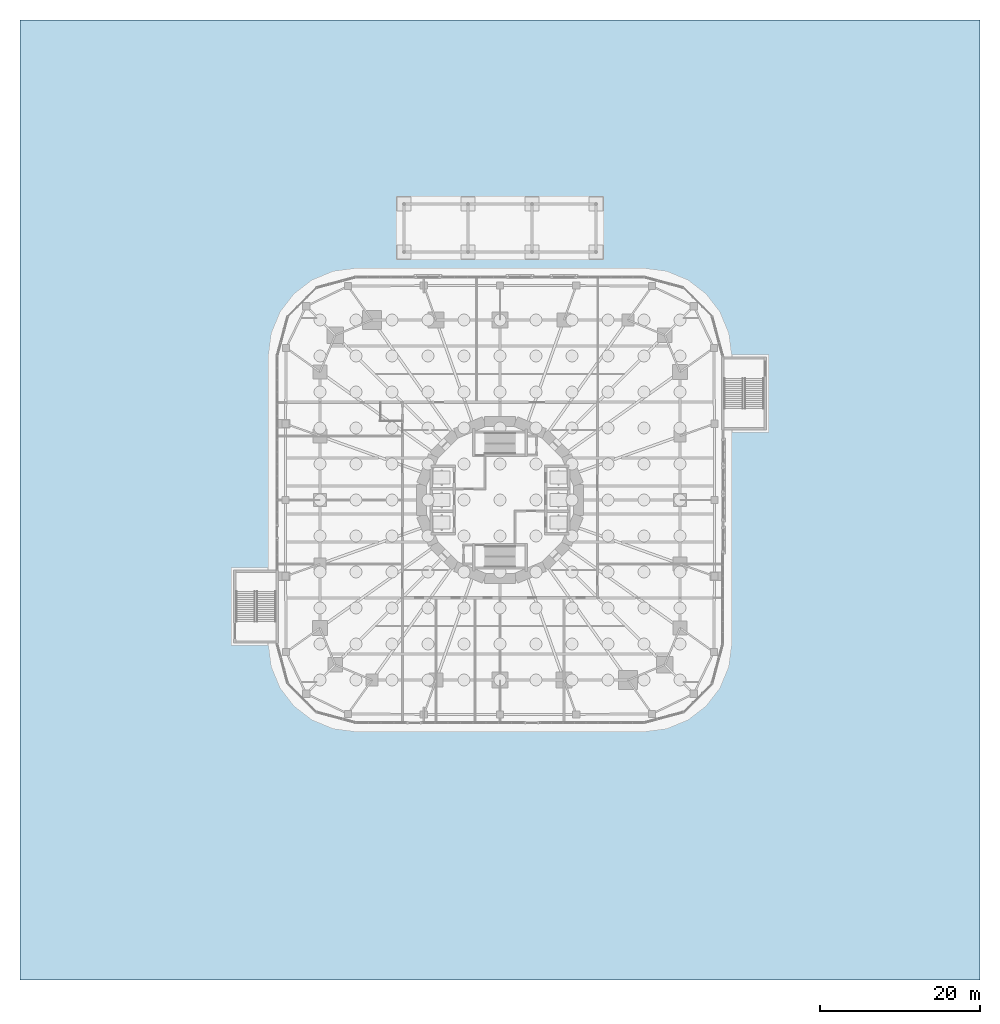
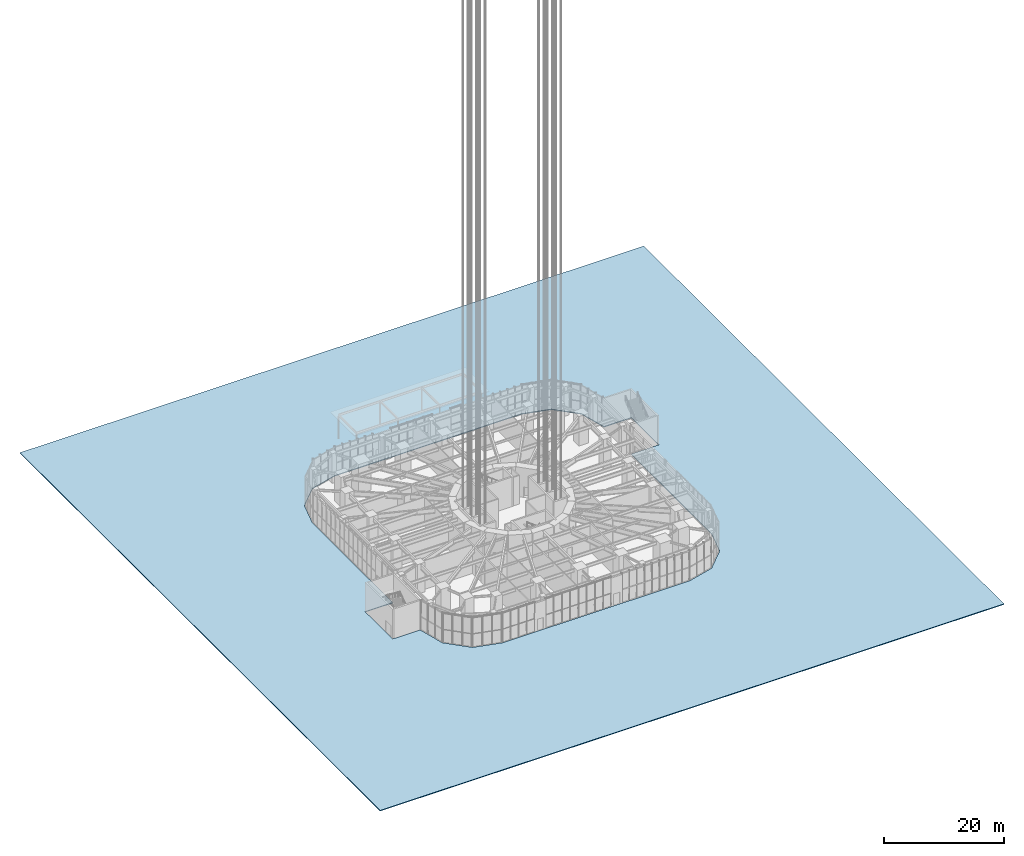
# One storey, part 22 of 43: 1 slab.
"""IFC4 building model written with IfcOpenShell, lengths in metres."""

from ifc_helpers import new_model, si_unit, direction, frame, origin, place, context, subcontext, project, spatial, polyline, outline, extrude, material, layer, layer_set, type_object, element, save


model = new_model("IFC4")

# Units and contexts
model_context = context("Model", 3, precision=1e-05, world=origin(), true_north=direction((0.0, 1.0)))
body_context = subcontext(model_context, "Body", "Model", "MODEL_VIEW")
ifc_project = project(units=[si_unit("LENGTHUNIT", "METRE"), si_unit("AREAUNIT", "SQUARE_METRE"), si_unit("VOLUMEUNIT", "CUBIC_METRE"), si_unit("PLANEANGLEUNIT", "RADIAN"), si_unit("MASSUNIT", "GRAM", prefix="KILO")], contexts=[model_context])

# Site, building, storey
site_placement = place(None, origin())
site = spatial("IfcSite", under=ifc_project, at=site_placement, CompositionType="ELEMENT")
building_placement = place(site_placement, origin())
building = spatial("IfcBuilding", under=site, at=building_placement, Name="Nakasero Lantern House", CompositionType="ELEMENT")
storey_placement = place(building_placement, origin())
storey = spatial("IfcBuildingStorey", under=building, at=storey_placement, Name="L00", CompositionType="ELEMENT", Elevation=0.0)

# Slab
ifc_material = material(Name="Concrete C32/40", Category="concrete")
ifc_layer = layer(ifc_material, 0.14990234375)
ifc_layer_set = layer_set([ifc_layer], Name="Plaza paving 150")
slab_type = type_object("IfcSlabType", Name="Plaza paving 150", PredefinedType="USERDEFINED", material=ifc_layer_set)
slab_placement = place(storey_placement, frame((0.0, 0.0, -0.14990234375)))
element("IfcSlab", 1, at=slab_placement, inside=storey, type_object=slab_type, Name="Public plaza paving", ObjectType="PAVING", PredefinedType="USERDEFINED", context=body_context, shape_type="SweptSolid", body=[
    extrude(outline(polyline([(-60.0, -60.0), (60.0, -60.0), (60.0, 60.0), (-60.0, 60.0), (-60.0, -60.0)]), holes=[polyline([(-28.0, -17.89990234375), (-33.300048828125, -17.89990234375), (-33.300048828125, -8.75), (-28.0, -8.75), (-28.0, 18.0), (-26.66015625, 23.0), (-23.0, 26.66015625), (-18.0, 28.0), (18.0, 28.0), (23.0, 26.66015625), (26.66015625, 23.0), (28.0, 18.0), (28.0, 17.89990234375), (33.300048828125, 17.89990234375), (33.300048828125, 8.75), (28.0, 8.75), (28.0, -18.0), (26.66015625, -23.0), (23.0, -26.66015625), (18.0, -28.0), (-18.0, -28.0), (-23.0, -26.66015625), (-26.66015625, -23.0), (-28.0, -18.0), (-28.0, -17.89990234375)])]), origin(), (0.0, 0.0, 1.0), 0.14990234375),
])

save(model, "model.ifc")
